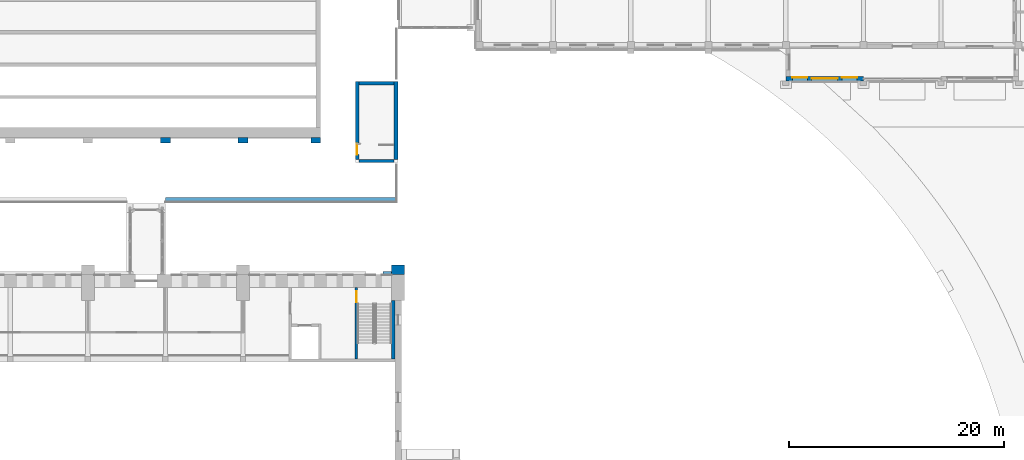
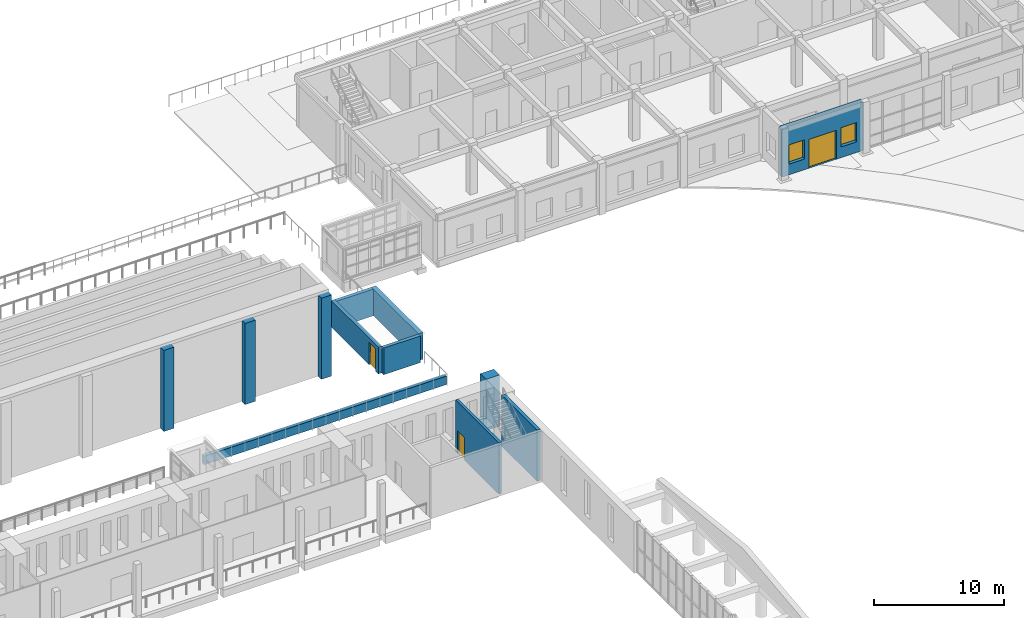
# One storey, part 95 of 131: 13 walls, 3 doors, 2 windows, 5 openings.
"""IFC4 building model written with IfcOpenShell, lengths in metres."""

from ifc_helpers import new_model, si_unit, direction, frame, frame_2d, origin, place, context, subcontext, project, spatial, rectangle, extrude, material, layer, layer_set, type_object, element, fill, save


model = new_model("IFC4")

# Units and contexts
model_context = context("Model", 3, precision=1e-05, world=origin(), true_north=direction((0.0, 1.0)))
body_context = subcontext(model_context, "Body", "Model", "MODEL_VIEW")
ifc_project = project(units=[si_unit("LENGTHUNIT", "METRE"), si_unit("AREAUNIT", "SQUARE_METRE"), si_unit("VOLUMEUNIT", "CUBIC_METRE"), si_unit("PLANEANGLEUNIT", "RADIAN"), si_unit("MASSUNIT", "GRAM", prefix="KILO")], contexts=[model_context])

# Site, building, storey
site_placement = place(None, origin())
site = spatial("IfcSite", under=ifc_project, at=site_placement, CompositionType="ELEMENT")
building_placement = place(site_placement, origin())
building = spatial("IfcBuilding", under=site, at=building_placement, Name="Alderwick Market Hall", CompositionType="ELEMENT")
storey_placement = place(building_placement, frame((0.0, 0.0, 4.800048828125)))
storey = spatial("IfcBuildingStorey", under=building, at=storey_placement, Name="L00", CompositionType="ELEMENT", Elevation=4.800048828125)

# Walls
ifc_material_1 = material(Name="Cast stone 5000 psi", Category="masonry")
ifc_layer_1 = layer(ifc_material_1, 0.300048828125)
ifc_layer_set_1 = layer_set([ifc_layer_1], Name="Cast stone 5000 psi")
wall_type_1 = type_object("IfcWallType", Name="A Cast Stone Balustrade Parapet 300", PredefinedType="SOLIDWALL", material=ifc_layer_set_1)
wall_1_placement = place(storey_placement, frame((129.60009765625, 115.60009765625, 0.0), z_axis=(0.0, 0.0, 1.0), x_axis=(1.0, 0.0, 0.0)))
element("IfcWall", 1, at=wall_1_placement, inside=storey, type_object=wall_type_1, Name="A.N.parapet.02", PredefinedType="SOLIDWALL", context=body_context, shape_type="SweptSolid", body=[
    extrude(rectangle(XDim=21.449951171875, YDim=0.300048828125, at=frame_2d((10.72509765625, 0.0))), origin(), (0.0, 0.0, 1.0), 0.800048828125),
])
ifc_material_2 = material(Name="Concrete 5000 psi (f'c 35 MPa)", Category="concrete")
ifc_layer_2 = layer(ifc_material_2, 0.89990234375)
ifc_layer_set_2 = layer_set([ifc_layer_2], Name="Concrete 5000 psi (f'c 35 MPa)")
wall_type_2 = type_object("IfcWallType", Name="A RC Bank Buttress 900", PredefinedType="SOLIDWALL", material=ifc_layer_set_2)
for number, where, z_axis, x_axis, name in (
    (2, (129.60009765625, 121.35009765625, 0.0), (0.0, 0.0, 1.0), (0.0, -1.0, 0.0), "Bank buttress"),
    (3, (136.800048828125, 121.35009765625, 0.0), (0.0, 0.0, 1.0), (0.0, -1.0, 0.0), "Bank buttress"),
    (4, (143.550048828125, 121.35009765625, 0.0), (0.0, 0.0, 1.0), (0.0, -1.0, 0.0), "Bank buttress"),
):
    element("IfcWall", number, at=place(storey_placement, frame(where, z_axis=z_axis, x_axis=x_axis)), inside=storey, type_object=wall_type_2, Name=name, PredefinedType="SOLIDWALL", context=body_context, shape_type="SweptSolid", body=[
        extrude(rectangle(XDim=0.5, YDim=0.89990234375, at=frame_2d((0.25, 0.0))), origin(), (0.0, 0.0, 1.0), 7.599853515625),
    ])
ifc_layer_3 = layer(ifc_material_2, 0.39990234375)
ifc_layer_set_3 = layer_set([ifc_layer_3], Name="Concrete 5000 psi (f'c 35 MPa)")
wall_type_3 = type_object("IfcWallType", Name="A RC Head-house End Wall 400", PredefinedType="SHEAR", material=ifc_layer_set_3)
wall_2_placement = place(storey_placement, frame((151.0, 119.300048828125, 0.0), z_axis=(0.0, 0.0, 1.0), x_axis=(0.0, 1.0, 0.0)))
element("IfcWall", 5, at=wall_2_placement, inside=storey, type_object=wall_type_3, Name="A.N.hh.E.out", PredefinedType="SHEAR", context=body_context, shape_type="SweptSolid", body=[
    extrude(rectangle(XDim=7.219970703125, YDim=0.39990234375, at=frame_2d((3.60986328125, 0.0))), origin(), (0.0, 0.0, 1.0), 2.5),
])

# Wall, opening, door
ifc_layer_4 = layer(ifc_material_2, 0.300048828125)
ifc_layer_set_4 = layer_set([ifc_layer_4], Name="Concrete 5000 psi (f'c 35 MPa)")
wall_type_4 = type_object("IfcWallType", Name="A RC Head-house Wall 300", PredefinedType="SHEAR", material=ifc_layer_set_4)
wall_3_placement = place(storey_placement, frame((147.39990234375, 119.300048828125, 0.0), z_axis=(0.0, 0.0, 1.0), x_axis=(0.0, 1.0, 0.0)))
wall_3 = element("IfcWall", 6, at=wall_3_placement, inside=storey, type_object=wall_type_4, Name="A.N.hh.E.in", PredefinedType="SHEAR", context=body_context, shape_type="SweptSolid", body=[
    extrude(rectangle(XDim=7.219970703125, YDim=0.300048828125, at=frame_2d((3.60986328125, 0.0))), origin(), (0.0, 0.0, 1.0), 2.5),
])
opening_1_placement = place(wall_3_placement, frame((0.449951171875, 0.0, 0.0)))
opening_1 = element("IfcOpeningElement", 7, at=opening_1_placement, cuts=wall_3, Name="Opening A-D064", PredefinedType="OPENING", context=body_context, shape_type="SweptSolid", body=[
    extrude(rectangle(XDim=1.0, YDim=2.10009765625, at=frame_2d((0.5, 1.050048828125))), frame((0.0, 0.159912109375, 0.0), z_axis=(0.0, -1.0, 0.0), x_axis=(1.0, 0.0, 0.0)), (0.0, 0.0, 1.0), 0.320068359375),
])
ifc_material_3 = material(Name="Hollow metal fire door and frame")
door_type_1 = type_object("IfcDoorType", Name="A Roof Access Door 1000x2100", OperationType="SINGLE_SWING_LEFT", PredefinedType="DOOR", material=ifc_material_3)
door_1_placement = place(opening_1_placement, origin())
door_1 = element("IfcDoor", 8, at=door_1_placement, inside=storey, type_object=door_type_1, Name="Roof stair head-house door", OperationType="SINGLE_SWING_RIGHT", OverallHeight=2.10009765625, OverallWidth=1.0, PredefinedType="DOOR", context=body_context, shape_type="SweptSolid", body=[
    extrude(rectangle(XDim=1.0, YDim=2.10009765625, at=frame_2d((0.5, 1.050048828125))), frame((0.0, 0.02490234375, 0.0), z_axis=(0.0, -1.0, 0.0), x_axis=(1.0, 0.0, 0.0)), (0.0, 0.0, 1.0), 0.050048828125),
])
fill(opening_1, door_1)

# Walls
for number, where, z_axis, x_axis, name in (
    (9, (150.800048828125, 126.3701171875, 0.0), (0.0, 0.0, 1.0), (-1.0, 0.0, 0.0), "A.N.hh.E.n"),
    (10, (150.800048828125, 119.14990234375, 0.0), (0.0, 0.0, 1.0), (-1.0, 0.0, 0.0), "A.N.hh.E.s"),
):
    element("IfcWall", number, at=place(storey_placement, frame(where, z_axis=z_axis, x_axis=x_axis)), inside=storey, type_object=wall_type_4, Name=name, PredefinedType="SHEAR", context=body_context, shape_type="SweptSolid", body=[
        extrude(rectangle(XDim=3.25, YDim=0.300048828125, at=frame_2d((1.625, 0.0))), origin(), (0.0, 0.0, 1.0), 2.5),
    ])

# Wall, openings, windows, door
ifc_material_4 = material(Name="Glazed terra-cotta ASTM C126 Grade S")
ifc_layer_5 = layer(ifc_material_4, 0.39990234375)
ifc_layer_set_5 = layer_set([ifc_layer_5], Name="Glazed terra-cotta ASTM C126 Grade S")
wall_type_5 = type_object("IfcWallType", Name="F Terra-cotta Faced Wall 400", PredefinedType="SOLIDWALL", material=ifc_layer_set_5)
wall_4_placement = place(storey_placement, frame((194.39990234375, 126.800048828125, 0.0), z_axis=(0.0, 0.0, 1.0), x_axis=(-1.0, 0.0, 0.0)))
wall_4 = element("IfcWall", 11, at=wall_4_placement, inside=storey, type_object=wall_type_5, Name="F.wall.L00.pav1.front.01", PredefinedType="SOLIDWALL", context=body_context, shape_type="SweptSolid", body=[
    extrude(rectangle(XDim=7.199951171875, YDim=0.39990234375, at=frame_2d((3.60009765625, 0.0))), origin(), (0.0, 0.0, 1.0), 4.550048828125),
])
opening_2_placement = place(wall_4_placement, frame((2.39990234375, 0.0, 0.0)))
opening_2 = element("IfcOpeningElement", 12, at=opening_2_placement, cuts=wall_4, Name="Opening F-D014", PredefinedType="OPENING", context=body_context, shape_type="SweptSolid", body=[
    extrude(rectangle(XDim=2.39990234375, YDim=2.699951171875, at=frame_2d((1.199951171875, 1.35009765625))), frame((0.0, 0.2099609375, 0.0), z_axis=(0.0, -1.0, 0.0), x_axis=(1.0, 0.0, 0.0)), (0.0, 0.0, 1.0), 0.419921875),
])
opening_3_placement = place(wall_4_placement, frame((0.595947265625, 0.0, 1.0)))
opening_3 = element("IfcOpeningElement", 13, at=opening_3_placement, cuts=wall_4, Name="Opening F-W060", PredefinedType="OPENING", context=body_context, shape_type="SweptSolid", body=[
    extrude(rectangle(XDim=1.39990234375, YDim=1.800048828125, at=frame_2d((0.699951171875, 0.89990234375))), frame((0.0, 0.2099609375, 0.0), z_axis=(0.0, -1.0, 0.0), x_axis=(1.0, 0.0, 0.0)), (0.0, 0.0, 1.0), 0.419921875),
])
opening_4_placement = place(wall_4_placement, frame((5.2041015625, 0.0, 1.0)))
opening_4 = element("IfcOpeningElement", 14, at=opening_4_placement, cuts=wall_4, Name="Opening F-W061", PredefinedType="OPENING", context=body_context, shape_type="SweptSolid", body=[
    extrude(rectangle(XDim=1.39990234375, YDim=1.800048828125, at=frame_2d((0.699951171875, 0.89990234375))), frame((0.0, 0.2099609375, 0.0), z_axis=(0.0, -1.0, 0.0), x_axis=(1.0, 0.0, 0.0)), (0.0, 0.0, 1.0), 0.419921875),
])
ifc_material_5 = material(Name="Aluminium frame, double glazing", Category="aluminium")
window_type = type_object("IfcWindowType", Name="F Base Window 1400x1800", PartitioningType="SINGLE_PANEL", PredefinedType="WINDOW", material=ifc_material_5)
window_1_placement = place(opening_3_placement, origin())
window_1 = element("IfcWindow", 15, at=window_1_placement, inside=storey, type_object=window_type, Name="F.win.L00.060", OverallHeight=1.800048828125, OverallWidth=1.39990234375, PartitioningType="SINGLE_PANEL", PredefinedType="WINDOW", context=body_context, shape_type="SweptSolid", body=[
    extrude(rectangle(XDim=1.39990234375, YDim=1.800048828125, at=frame_2d((0.699951171875, 0.89990234375))), frame((0.0, -0.090087890625, 0.0), z_axis=(0.0, -1.0, 0.0), x_axis=(1.0, 0.0, 0.0)), (0.0, 0.0, 1.0), 0.06005859375),
])
fill(opening_3, window_1)
window_2_placement = place(opening_4_placement, origin())
window_2 = element("IfcWindow", 16, at=window_2_placement, inside=storey, type_object=window_type, Name="F.win.L00.061", OverallHeight=1.800048828125, OverallWidth=1.39990234375, PartitioningType="SINGLE_PANEL", PredefinedType="WINDOW", context=body_context, shape_type="SweptSolid", body=[
    extrude(rectangle(XDim=1.39990234375, YDim=1.800048828125, at=frame_2d((0.699951171875, 0.89990234375))), frame((0.0, -0.090087890625, 0.0), z_axis=(0.0, -1.0, 0.0), x_axis=(1.0, 0.0, 0.0)), (0.0, 0.0, 1.0), 0.06005859375),
])
fill(opening_4, window_2)
ifc_material_6 = material(Name="Aluminium, glazed", Category="aluminium")
door_type_2 = type_object("IfcDoorType", Name="F Entrance Door Pair 2400x2700", OperationType="NOTDEFINED", PredefinedType="DOOR", material=ifc_material_6)
door_2_placement = place(opening_2_placement, origin())
door_2 = element("IfcDoor", 17, at=door_2_placement, inside=storey, type_object=door_type_2, Name="F.door.L00.014", OperationType="NOTDEFINED", OverallHeight=2.699951171875, OverallWidth=2.39990234375, PredefinedType="DOOR", context=body_context, shape_type="SweptSolid", body=[
    extrude(rectangle(XDim=2.39990234375, YDim=2.699951171875, at=frame_2d((1.199951171875, 1.35009765625))), frame((0.0, 0.02490234375, 0.0), z_axis=(0.0, -1.0, 0.0), x_axis=(1.0, 0.0, 0.0)), (0.0, 0.0, 1.0), 0.050048828125),
])
fill(opening_2, door_2)

# Walls
ifc_material_7 = material(Name="Cast stone 5000 psi (f'c 35 MPa), ASTM C1364", Category="masonry")
ifc_layer_6 = layer(ifc_material_7, 0.300048828125)
ifc_layer_set_6 = layer_set([ifc_layer_6], Name="Cast stone 5000 psi (f'c 35 MPa), ASTM C1364")
wall_type_6 = type_object("IfcWallType", Name="H Base course 300", PredefinedType="SOLIDWALL", material=ifc_layer_set_6)
wall_5_placement = place(storey_placement, frame((149.800048828125, 108.75, 0.0), z_axis=(0.0, 0.0, 1.0), x_axis=(1.0, 0.0, 0.0)))
element("IfcWall", 18, at=wall_5_placement, inside=storey, type_object=wall_type_6, Name="Base course N7", PredefinedType="SOLIDWALL", context=body_context, shape_type="SweptSolid", body=[
    extrude(rectangle(XDim=0.800048828125, YDim=0.300048828125, at=frame_2d((0.39990234375, 0.0))), origin(), (0.0, 0.0, 1.0), 1.199951171875),
])
ifc_material_8 = material(Name="Face brick masonry, ASTM C216 grade SW (f'm 17 MPa)", Category="masonry")
ifc_layer_7 = layer(ifc_material_8, 0.89990234375)
ifc_layer_set_7 = layer_set([ifc_layer_7], Name="Face brick masonry, ASTM C216 grade SW (f'm 17 MPa)")
wall_type_7 = type_object("IfcWallType", Name="H Buttress pier 900", PredefinedType="SOLIDWALL", material=ifc_layer_set_7)
wall_6_placement = place(storey_placement, frame((150.60009765625, 109.050048828125, 0.0), z_axis=(0.0, 0.0, 1.0), x_axis=(1.0, 0.0, 0.0)))
element("IfcWall", 19, at=wall_6_placement, inside=storey, type_object=wall_type_7, Name="Buttress pier N8", PredefinedType="SOLIDWALL", context=body_context, shape_type="SweptSolid", body=[
    extrude(rectangle(XDim=1.199951171875, YDim=0.89990234375, at=frame_2d((0.60009765625, 0.0))), origin(), (0.0, 0.0, 1.0), 4.800048828125),
])

# Wall, opening, door
ifc_layer_8 = layer(ifc_material_2, 0.25)
ifc_layer_set_8 = layer_set([ifc_layer_8], Name="Concrete 5000 psi (f'c 35 MPa)")
wall_type_8 = type_object("IfcWallType", Name="H Core wall 250", PredefinedType="SOLIDWALL", material=ifc_layer_set_8)
wall_7_placement = place(storey_placement, frame((147.324951171875, 100.760009765625, 0.0), z_axis=(0.0, 0.0, 1.0), x_axis=(0.0, 1.0, 0.0)))
wall_7 = element("IfcWall", 20, at=wall_7_placement, inside=storey, type_object=wall_type_8, Name="Core wall H-NE", PredefinedType="SOLIDWALL", context=body_context, shape_type="SweptSolid", body=[
    extrude(rectangle(XDim=6.639892578125, YDim=0.25, at=frame_2d((3.31982421875, 0.0))), origin(), (0.0, 0.0, 1.0), 4.800048828125),
])
opening_5_placement = place(wall_7_placement, frame((5.2900390625, 0.0, 0.0)))
opening_5 = element("IfcOpeningElement", 21, at=opening_5_placement, cuts=wall_7, Name="Opening H-D050", PredefinedType="OPENING", context=body_context, shape_type="SweptSolid", body=[
    extrude(rectangle(XDim=1.0, YDim=2.10009765625, at=frame_2d((0.5, 1.050048828125))), frame((0.0, 0.135009765625, 0.0), z_axis=(0.0, -1.0, 0.0), x_axis=(1.0, 0.0, 0.0)), (0.0, 0.0, 1.0), 0.27001953125),
])
ifc_material_9 = material(Name="Steel, fire-rated", Category="steel")
door_type_3 = type_object("IfcDoorType", Name="H Stair door FD90 1000x2100", OperationType="SINGLE_SWING_LEFT", PredefinedType="DOOR", material=ifc_material_9)
door_3_placement = place(opening_5_placement, origin())
door_3 = element("IfcDoor", 22, at=door_3_placement, inside=storey, type_object=door_type_3, Name="Door H-D050", OperationType="SINGLE_SWING_LEFT", OverallHeight=2.10009765625, OverallWidth=1.0, PredefinedType="DOOR", context=body_context, shape_type="SweptSolid", body=[
    extrude(rectangle(XDim=1.0, YDim=2.10009765625, at=frame_2d((0.5, 1.050048828125))), frame((0.0, 0.02490234375, 0.0), z_axis=(0.0, -1.0, 0.0), x_axis=(1.0, 0.0, 0.0)), (0.0, 0.0, 1.0), 0.050048828125),
])
fill(opening_5, door_3)

# Wall
ifc_layer_9 = layer(ifc_material_2, 0.300048828125)
ifc_layer_set_9 = layer_set([ifc_layer_9], Name="Concrete 5000 psi (f'c 35 MPa)")
wall_type_9 = type_object("IfcWallType", Name="H Stair furring wall 300", PredefinedType="SOLIDWALL", material=ifc_layer_set_9)
wall_8_placement = place(storey_placement, frame((150.75, 100.760009765625, 0.0), z_axis=(0.0, 0.0, 1.0), x_axis=(0.0, 1.0, 0.0)))
element("IfcWall", 23, at=wall_8_placement, inside=storey, type_object=wall_type_9, Name="Core wall H-NE", PredefinedType="SOLIDWALL", context=body_context, shape_type="SweptSolid", body=[
    extrude(rectangle(XDim=5.43994140625, YDim=0.300048828125, at=frame_2d((2.719970703125, 0.0))), origin(), (0.0, 0.0, 1.0), 4.800048828125),
])

save(model, "model.ifc")
